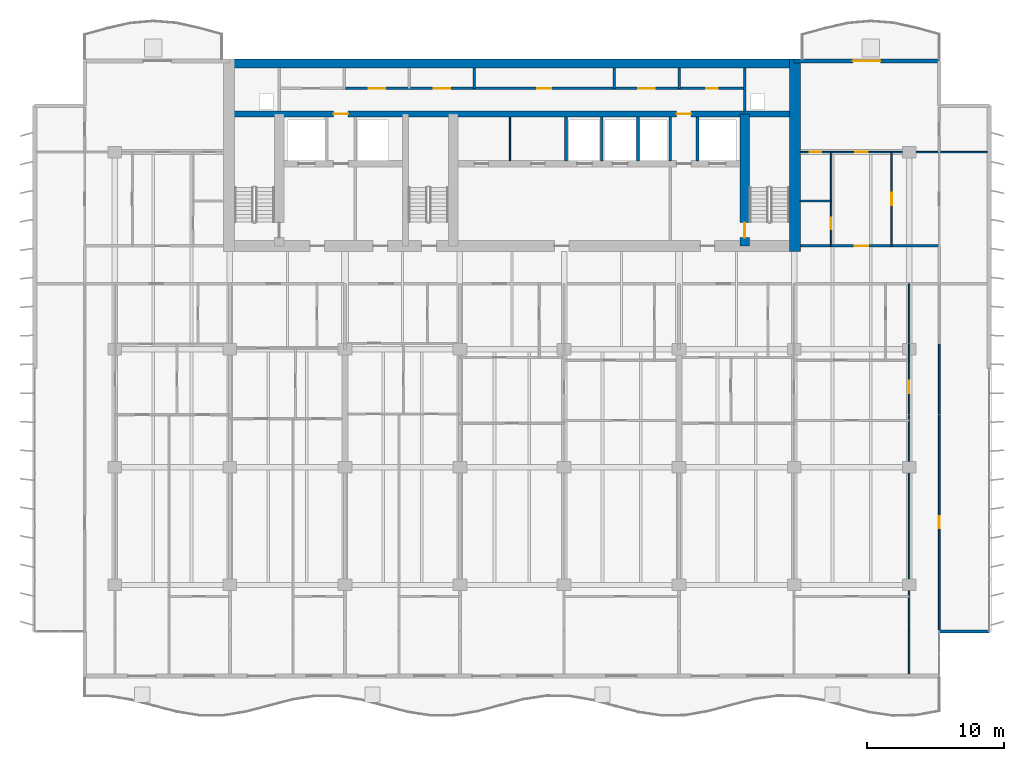
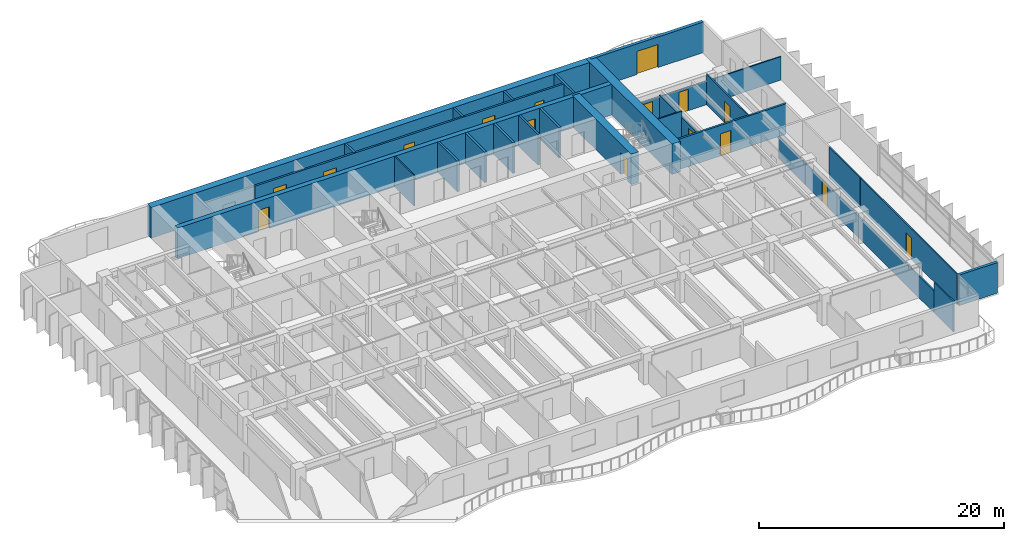
# One storey, part 11 of 16: 28 walls, 16 doors, 16 openings.
"""IFC4 building model written with IfcOpenShell, lengths in metres."""

from ifc_helpers import new_model, si_unit, direction, frame, frame_2d, origin, place, context, subcontext, project, spatial, rectangle, extrude, material, layer, layer_set, type_object, element, fill, save


model = new_model("IFC4")

# Units and contexts
model_context = context("Model", 3, precision=1e-05, world=origin(), true_north=direction((0.0, 1.0)))
body_context = subcontext(model_context, "Body", "Model", "MODEL_VIEW")
ifc_project = project(units=[si_unit("LENGTHUNIT", "METRE"), si_unit("AREAUNIT", "SQUARE_METRE"), si_unit("VOLUMEUNIT", "CUBIC_METRE"), si_unit("PLANEANGLEUNIT", "RADIAN"), si_unit("MASSUNIT", "GRAM", prefix="KILO")], contexts=[model_context])

# Site, building, storey
site_placement = place(None, origin())
site = spatial("IfcSite", under=ifc_project, at=site_placement, CompositionType="ELEMENT")
building_placement = place(site_placement, origin())
building = spatial("IfcBuilding", under=site, at=building_placement, Name="Caelmar Bay Residences", CompositionType="ELEMENT")
storey_placement = place(building_placement, frame((0.0, 0.0, 145.5)))
storey = spatial("IfcBuildingStorey", under=building, at=storey_placement, Name="L40", CompositionType="ELEMENT", Elevation=145.5)

# Wall, opening, door
ifc_material_1 = material(Name="Concrete f'c 55 MPa (8,000 psi)", Category="concrete")
ifc_layer_1 = layer(ifc_material_1, 0.699951171875)
ifc_layer_set_1 = layer_set([ifc_layer_1], Name="Concrete f'c 55 MPa (8,000 psi)")
wall_type_1 = type_object("IfcWallType", Name="SW-COR-700", PredefinedType="SHEAR", material=ifc_layer_set_1)
wall_1_placement = place(storey_placement, frame((55.89990234375, 36.949951171875, 0.0), z_axis=(0.0, 0.0, 1.0), x_axis=(0.0, 1.0, 0.0)))
wall_1 = element("IfcWall", 1, at=wall_1_placement, inside=storey, type_object=wall_type_1, Name="L40 Core Structural Web Wall ST2W", PredefinedType="SHEAR", context=body_context, shape_type="SweptSolid", body=[
    extrude(rectangle(XDim=9.625, YDim=0.699951171875, at=frame_2d((4.8125, 0.0))), origin(), (0.0, 0.0, 1.0), 3.050048828125),
])
opening_1_placement = place(wall_1_placement, frame((0.60009765625, 0.0, 0.0)))
opening_1 = element("IfcOpeningElement", 2, at=opening_1_placement, cuts=wall_1, Name="Opening D-L40-110", PredefinedType="OPENING", context=body_context, shape_type="SweptSolid", body=[
    extrude(rectangle(XDim=1.10009765625, YDim=2.14990234375, at=frame_2d((0.550048828125, 1.074951171875))), frame((0.0, 0.35986328125, 0.0), z_axis=(0.0, -1.0, 0.0), x_axis=(1.0, 0.0, 0.0)), (0.0, 0.0, 1.0), 0.719970703125),
])
ifc_material_2 = material(Name="Fire-rated steel and walnut architectural door assembly", Category="steel")
ifc_layer_2 = layer(ifc_material_2, 0.050048828125)
ifc_layer_set_2 = layer_set([ifc_layer_2], Name="Fire-rated steel and walnut architectural door assembly")
door_type_1 = type_object("IfcDoorType", Name="D-STAIR-1100", OperationType="NOTDEFINED", PredefinedType="DOOR", material=ifc_layer_set_2)
door_1_placement = place(opening_1_placement, origin())
door_1 = element("IfcDoor", 3, at=door_1_placement, inside=storey, type_object=door_type_1, Name="L40 Firefighting Lobby East Door", OperationType="SINGLE_SWING_RIGHT", OverallHeight=2.14990234375, OverallWidth=1.10009765625, PredefinedType="DOOR", context=body_context, shape_type="SweptSolid", body=[
    extrude(rectangle(XDim=1.10009765625, YDim=2.14990234375, at=frame_2d((0.550048828125, 1.074951171875))), frame((0.0, 0.02490234375, 0.0), z_axis=(0.0, -1.0, 0.0), x_axis=(1.0, 0.0, 0.0)), (0.0, 0.0, 1.0), 0.050048828125),
])
fill(opening_1, door_1)

# Walls
ifc_material_3 = material(Name="Concrete f'c 70 MPa (10,000 psi)", Category="concrete")
ifc_layer_3 = layer(ifc_material_3, 0.800048828125)
ifc_layer_set_3 = layer_set([ifc_layer_3], Name="Concrete f'c 70 MPa (10,000 psi)")
wall_type_2 = type_object("IfcWallType", Name="SW-COR-800", PredefinedType="SHEAR", material=ifc_layer_set_3)
wall_2_placement = place(storey_placement, frame((59.550048828125, 36.550048828125, 0.0), z_axis=(0.0, 0.0, 1.0), x_axis=(0.0, 1.0, 0.0)))
element("IfcWall", 4, at=wall_2_placement, inside=storey, type_object=wall_type_2, Name="L40 Rear Core East Shear Wall", PredefinedType="SHEAR", context=body_context, shape_type="SweptSolid", body=[
    extrude(rectangle(XDim=14.050048828125, YDim=0.800048828125, at=frame_2d((7.02490234375, 0.0))), origin(), (0.0, 0.0, 1.0), 3.050048828125),
])
ifc_layer_4 = layer(ifc_material_1, 0.64990234375)
ifc_layer_set_4 = layer_set([ifc_layer_4], Name="Concrete f'c 55 MPa (8,000 psi)")
wall_type_3 = type_object("IfcWallType", Name="SW-CORN-650", PredefinedType="SHEAR", material=ifc_layer_set_4)
wall_3_placement = place(storey_placement, frame((17.85009765625, 50.27490234375, 0.0), z_axis=(0.0, 0.0, 1.0), x_axis=(1.0, 0.0, 0.0)))
element("IfcWall", 5, at=wall_3_placement, inside=storey, type_object=wall_type_3, Name="L40 Rear Core North Shear Wall", PredefinedType="SHEAR", context=body_context, shape_type="SweptSolid", body=[
    extrude(rectangle(XDim=42.099853515625, YDim=0.64990234375, at=frame_2d((21.0498046875, 0.0))), origin(), (0.0, 0.0, 1.0), 3.050048828125),
])

# Wall, openings, doors
ifc_layer_5 = layer(ifc_material_3, 0.449951171875)
ifc_layer_set_5 = layer_set([ifc_layer_5], Name="Concrete f'c 70 MPa (10,000 psi)")
wall_type_4 = type_object("IfcWallType", Name="SW-WEB-450", PredefinedType="SHEAR", material=ifc_layer_set_5)
wall_4_placement = place(storey_placement, frame((18.25, 46.574951171875, 0.0), z_axis=(0.0, 0.0, 1.0), x_axis=(1.0, 0.0, 0.0)))
wall_4 = element("IfcWall", 6, at=wall_4_placement, inside=storey, type_object=wall_type_4, Name="L40 Core Structural Web Wall SRVS", PredefinedType="SHEAR", context=body_context, shape_type="SweptSolid", body=[
    extrude(rectangle(XDim=41.300048828125, YDim=0.449951171875, at=frame_2d((20.64990234375, 0.0))), origin(), (0.0, 0.0, 1.0), 3.050048828125),
])
opening_2_placement = place(wall_4_placement, frame((7.625, 0.0, 0.0)))
opening_2 = element("IfcOpeningElement", 7, at=opening_2_placement, cuts=wall_4, Name="Opening D-L40-116", PredefinedType="OPENING", context=body_context, shape_type="SweptSolid", body=[
    extrude(rectangle(XDim=1.050048828125, YDim=2.14990234375, at=frame_2d((0.52490234375, 1.074951171875))), frame((0.0, 0.23486328125, 0.0), z_axis=(0.0, -1.0, 0.0), x_axis=(1.0, 0.0, 0.0)), (0.0, 0.0, 1.0), 0.469970703125),
])
opening_3_placement = place(wall_4_placement, frame((32.675048828125, 0.0, 0.0)))
opening_3 = element("IfcOpeningElement", 8, at=opening_3_placement, cuts=wall_4, Name="Opening D-L40-117", PredefinedType="OPENING", context=body_context, shape_type="SweptSolid", body=[
    extrude(rectangle(XDim=1.050048828125, YDim=2.14990234375, at=frame_2d((0.52490234375, 1.074951171875))), frame((0.0, 0.23486328125, 0.0), z_axis=(0.0, -1.0, 0.0), x_axis=(1.0, 0.0, 0.0)), (0.0, 0.0, 1.0), 0.469970703125),
])
ifc_layer_6 = layer(ifc_material_2, 0.050048828125)
ifc_layer_set_6 = layer_set([ifc_layer_6], Name="Fire-rated steel and walnut architectural door assembly")
door_type_2 = type_object("IfcDoorType", Name="D-FSAE-1050", OperationType="NOTDEFINED", PredefinedType="DOOR", material=ifc_layer_set_6)
door_2_placement = place(opening_2_placement, origin())
door_2 = element("IfcDoor", 9, at=door_2_placement, inside=storey, type_object=door_type_2, Name="L40 Core Service Corridor Door", OperationType="SINGLE_SWING_RIGHT", OverallHeight=2.14990234375, OverallWidth=1.050048828125, PredefinedType="DOOR", context=body_context, shape_type="SweptSolid", body=[
    extrude(rectangle(XDim=1.050048828125, YDim=2.14990234375, at=frame_2d((0.52490234375, 1.074951171875))), frame((0.0, 0.02490234375, 0.0), z_axis=(0.0, -1.0, 0.0), x_axis=(1.0, 0.0, 0.0)), (0.0, 0.0, 1.0), 0.050048828125),
])
fill(opening_2, door_2)
door_3_placement = place(opening_3_placement, origin())
door_3 = element("IfcDoor", 10, at=door_3_placement, inside=storey, type_object=door_type_2, Name="L40 Core Service Corridor Door", OperationType="SINGLE_SWING_LEFT", OverallHeight=2.14990234375, OverallWidth=1.050048828125, PredefinedType="DOOR", context=body_context, shape_type="SweptSolid", body=[
    extrude(rectangle(XDim=1.050048828125, YDim=2.14990234375, at=frame_2d((0.52490234375, 1.074951171875))), frame((0.0, 0.02490234375, 0.0), z_axis=(0.0, -1.0, 0.0), x_axis=(1.0, 0.0, 0.0)), (0.0, 0.0, 1.0), 0.050048828125),
])
fill(opening_3, door_3)

# Walls
ifc_material_4 = material(Name="Double-stud acoustic fire-rated gypsum partition 180 mm")
ifc_layer_7 = layer(ifc_material_4, 0.179931640625)
ifc_layer_set_7 = layer_set([ifc_layer_7], Name="Double-stud acoustic fire-rated gypsum partition 180 mm")
wall_type_5 = type_object("IfcWallType", Name="W-COR-200", PredefinedType="PARTITIONING", material=ifc_layer_set_7)
for number, where, z_axis, x_axis, name in (
    (11, (36.14990234375, 48.449951171875, 0.0), (0.0, 0.0, 1.0), (0.0, 1.0, 0.0), "L40 Partition Wall V045"),
    (12, (46.35009765625, 48.449951171875, 0.0), (0.0, 0.0, 1.0), (0.0, 1.0, 0.0), "L40 Partition Wall V055"),
    (13, (51.10009765625, 48.449951171875, 0.0), (0.0, 0.0, 1.0), (0.0, 1.0, 0.0), "L40 Partition Wall V065"),
):
    element("IfcWall", number, at=place(storey_placement, frame(where, z_axis=z_axis, x_axis=x_axis)), inside=storey, type_object=wall_type_5, Name=name, PredefinedType="PARTITIONING", context=body_context, shape_type="SweptSolid", body=[
        extrude(rectangle(XDim=1.505126953125, YDim=0.179931640625, at=frame_2d((0.75244140625, 0.0))), origin(), (0.0, 0.0, 1.0), 3.050048828125),
    ])

# Wall, opening, door
wall_5_placement = place(storey_placement, frame((59.955078125, 36.949951171875, 0.0), z_axis=(0.0, 0.0, 1.0), x_axis=(1.0, 0.0, 0.0)))
wall_5 = element("IfcWall", 14, at=wall_5_placement, inside=storey, type_object=wall_type_5, Name="L40 Partition Wall H116", PredefinedType="PARTITIONING", context=body_context, shape_type="SweptSolid", body=[
    extrude(rectangle(XDim=10.14501953125, YDim=0.179931640625, at=frame_2d((5.072509765625, 0.0))), origin(), (0.0, 0.0, 1.0), 3.050048828125),
])
opening_4_placement = place(wall_5_placement, frame((3.95703125, 0.0, 0.0)))
opening_4 = element("IfcOpeningElement", 15, at=opening_4_placement, cuts=wall_5, Name="Opening D-L40-176", PredefinedType="OPENING", context=body_context, shape_type="SweptSolid", body=[
    extrude(rectangle(XDim=1.0, YDim=2.199951171875, at=frame_2d((0.5, 1.10009765625))), frame((0.0, 0.099853515625, 0.0), z_axis=(0.0, -1.0, 0.0), x_axis=(1.0, 0.0, 0.0)), (0.0, 0.0, 1.0), 0.199951171875),
])
ifc_layer_8 = layer(ifc_material_2, 0.050048828125)
ifc_layer_set_8 = layer_set([ifc_layer_8], Name="Fire-rated steel and walnut architectural door assembly")
door_type_3 = type_object("IfcDoorType", Name="D-UNIT-1000", OperationType="NOTDEFINED", PredefinedType="DOOR", material=ifc_layer_set_8)
door_4_placement = place(opening_4_placement, origin())
door_4 = element("IfcDoor", 16, at=door_4_placement, inside=storey, type_object=door_type_3, Name="L40 Residence EA Kitchen Door", OperationType="SINGLE_SWING_RIGHT", OverallHeight=2.199951171875, OverallWidth=1.0, PredefinedType="DOOR", context=body_context, shape_type="SweptSolid", body=[
    extrude(rectangle(XDim=1.0, YDim=2.199951171875, at=frame_2d((0.5, 1.10009765625))), frame((0.0, 0.02490234375, 0.0), z_axis=(0.0, -1.0, 0.0), x_axis=(1.0, 0.0, 0.0)), (0.0, 0.0, 1.0), 0.050048828125),
])
fill(opening_4, door_4)

# Wall, openings, doors
wall_6_placement = place(storey_placement, frame((26.699951171875, 48.449951171875, 0.0), z_axis=(0.0, 0.0, 1.0), x_axis=(1.0, 0.0, 0.0)))
wall_6 = element("IfcWall", 17, at=wall_6_placement, inside=storey, type_object=wall_type_5, Name="L40 Partition Wall H122", PredefinedType="PARTITIONING", context=body_context, shape_type="SweptSolid", body=[
    extrude(rectangle(XDim=29.199951171875, YDim=0.179931640625, at=frame_2d((14.60009765625, 0.0))), origin(), (0.0, 0.0, 1.0), 3.050048828125),
])
opening_5_placement = place(wall_6_placement, frame((1.75, 0.0, 0.0)))
opening_5 = element("IfcOpeningElement", 18, at=opening_5_placement, cuts=wall_6, Name="Opening D-L40-119", PredefinedType="OPENING", context=body_context, shape_type="SweptSolid", body=[
    extrude(rectangle(XDim=1.199951171875, YDim=2.199951171875, at=frame_2d((0.60009765625, 1.10009765625))), frame((0.0, 0.099853515625, 0.0), z_axis=(0.0, -1.0, 0.0), x_axis=(1.0, 0.0, 0.0)), (0.0, 0.0, 1.0), 0.199951171875),
])
opening_6_placement = place(wall_6_placement, frame((6.47509765625, 0.0, 0.0)))
opening_6 = element("IfcOpeningElement", 19, at=opening_6_placement, cuts=wall_6, Name="Opening D-L40-120", PredefinedType="OPENING", context=body_context, shape_type="SweptSolid", body=[
    extrude(rectangle(XDim=1.199951171875, YDim=2.199951171875, at=frame_2d((0.60009765625, 1.10009765625))), frame((0.0, 0.099853515625, 0.0), z_axis=(0.0, -1.0, 0.0), x_axis=(1.0, 0.0, 0.0)), (0.0, 0.0, 1.0), 0.199951171875),
])
opening_7_placement = place(wall_6_placement, frame((14.050048828125, 0.0, 0.0)))
opening_7 = element("IfcOpeningElement", 20, at=opening_7_placement, cuts=wall_6, Name="Opening D-L40-121", PredefinedType="OPENING", context=body_context, shape_type="SweptSolid", body=[
    extrude(rectangle(XDim=1.0, YDim=2.199951171875, at=frame_2d((0.5, 1.10009765625))), frame((0.0, 0.099853515625, 0.0), z_axis=(0.0, -1.0, 0.0), x_axis=(1.0, 0.0, 0.0)), (0.0, 0.0, 1.0), 0.199951171875),
])
opening_8_placement = place(wall_6_placement, frame((21.425048828125, 0.0, 0.0)))
opening_8 = element("IfcOpeningElement", 21, at=opening_8_placement, cuts=wall_6, Name="Opening D-L40-122", PredefinedType="OPENING", context=body_context, shape_type="SweptSolid", body=[
    extrude(rectangle(XDim=1.199951171875, YDim=2.199951171875, at=frame_2d((0.60009765625, 1.10009765625))), frame((0.0, 0.099853515625, 0.0), z_axis=(0.0, -1.0, 0.0), x_axis=(1.0, 0.0, 0.0)), (0.0, 0.0, 1.0), 0.199951171875),
])
opening_9_placement = place(wall_6_placement, frame((26.375, 0.0, 0.0)))
opening_9 = element("IfcOpeningElement", 22, at=opening_9_placement, cuts=wall_6, Name="Opening D-L40-123", PredefinedType="OPENING", context=body_context, shape_type="SweptSolid", body=[
    extrude(rectangle(XDim=0.85009765625, YDim=2.10009765625, at=frame_2d((0.425048828125, 1.050048828125))), frame((0.0, 0.099853515625, 0.0), z_axis=(0.0, -1.0, 0.0), x_axis=(1.0, 0.0, 0.0)), (0.0, 0.0, 1.0), 0.199951171875),
])
ifc_layer_9 = layer(ifc_material_2, 0.050048828125)
ifc_layer_set_9 = layer_set([ifc_layer_9], Name="Fire-rated steel and walnut architectural door assembly")
door_type_4 = type_object("IfcDoorType", Name="D-CORE-850", OperationType="NOTDEFINED", PredefinedType="DOOR", material=ifc_layer_set_9)
door_5_placement = place(opening_9_placement, origin())
door_5 = element("IfcDoor", 23, at=door_5_placement, inside=storey, type_object=door_type_4, Name="L40 Staff Restroom Door", OperationType="SINGLE_SWING_LEFT", OverallHeight=2.10009765625, OverallWidth=0.85009765625, PredefinedType="DOOR", context=body_context, shape_type="SweptSolid", body=[
    extrude(rectangle(XDim=0.85009765625, YDim=2.10009765625, at=frame_2d((0.425048828125, 1.050048828125))), frame((0.0, 0.02490234375, 0.0), z_axis=(0.0, -1.0, 0.0), x_axis=(1.0, 0.0, 0.0)), (0.0, 0.0, 1.0), 0.050048828125),
])
fill(opening_9, door_5)
ifc_layer_10 = layer(ifc_material_2, 0.050048828125)
ifc_layer_set_10 = layer_set([ifc_layer_10], Name="Fire-rated steel and walnut architectural door assembly")
door_type_5 = type_object("IfcDoorType", Name="D-PLANT-1200", OperationType="NOTDEFINED", PredefinedType="DOOR", material=ifc_layer_set_10)
door_6_placement = place(opening_5_placement, origin())
door_6 = element("IfcDoor", 24, at=door_6_placement, inside=storey, type_object=door_type_5, Name="L40 Water Meter Closet Door", OperationType="SINGLE_SWING_LEFT", OverallHeight=2.199951171875, OverallWidth=1.199951171875, PredefinedType="DOOR", context=body_context, shape_type="SweptSolid", body=[
    extrude(rectangle(XDim=1.199951171875, YDim=2.199951171875, at=frame_2d((0.60009765625, 1.10009765625))), frame((0.0, 0.02490234375, 0.0), z_axis=(0.0, -1.0, 0.0), x_axis=(1.0, 0.0, 0.0)), (0.0, 0.0, 1.0), 0.050048828125),
])
fill(opening_5, door_6)
door_7_placement = place(opening_6_placement, origin())
door_7 = element("IfcDoor", 25, at=door_7_placement, inside=storey, type_object=door_type_5, Name="L40 Low-Voltage Data Closet Door", OperationType="SINGLE_SWING_RIGHT", OverallHeight=2.199951171875, OverallWidth=1.199951171875, PredefinedType="DOOR", context=body_context, shape_type="SweptSolid", body=[
    extrude(rectangle(XDim=1.199951171875, YDim=2.199951171875, at=frame_2d((0.60009765625, 1.10009765625))), frame((0.0, 0.02490234375, 0.0), z_axis=(0.0, -1.0, 0.0), x_axis=(1.0, 0.0, 0.0)), (0.0, 0.0, 1.0), 0.050048828125),
])
fill(opening_6, door_7)
door_8_placement = place(opening_8_placement, origin())
door_8 = element("IfcDoor", 26, at=door_8_placement, inside=storey, type_object=door_type_5, Name="L40 Valet Trunk Closet Door", OperationType="SINGLE_SWING_RIGHT", OverallHeight=2.199951171875, OverallWidth=1.199951171875, PredefinedType="DOOR", context=body_context, shape_type="SweptSolid", body=[
    extrude(rectangle(XDim=1.199951171875, YDim=2.199951171875, at=frame_2d((0.60009765625, 1.10009765625))), frame((0.0, 0.02490234375, 0.0), z_axis=(0.0, -1.0, 0.0), x_axis=(1.0, 0.0, 0.0)), (0.0, 0.0, 1.0), 0.050048828125),
])
fill(opening_8, door_8)
door_9_placement = place(opening_7_placement, origin())
door_9 = element("IfcDoor", 27, at=door_9_placement, inside=storey, type_object=door_type_3, Name="L40 Mail Sorting Office Door", OperationType="SINGLE_SWING_LEFT", OverallHeight=2.199951171875, OverallWidth=1.0, PredefinedType="DOOR", context=body_context, shape_type="SweptSolid", body=[
    extrude(rectangle(XDim=1.0, YDim=2.199951171875, at=frame_2d((0.5, 1.10009765625))), frame((0.0, 0.02490234375, 0.0), z_axis=(0.0, -1.0, 0.0), x_axis=(1.0, 0.0, 0.0)), (0.0, 0.0, 1.0), 0.050048828125),
])
fill(opening_7, door_9)

# Wall
ifc_material_5 = material(Name="Precast concrete f'c 40 MPa (6,000 psi)", Category="concrete")
ifc_layer_11 = layer(ifc_material_5, 0.25)
ifc_layer_set_11 = layer_set([ifc_layer_11], Name="Precast concrete f'c 40 MPa (6,000 psi)")
wall_type_6 = type_object("IfcWallType", Name="W-EXT-250", PredefinedType="ELEMENTEDWALL", material=ifc_layer_set_11)
wall_7_placement = place(storey_placement, frame((70.10009765625, 8.800048828125, 0.0), z_axis=(0.0, 0.0, 1.0), x_axis=(1.0, 0.0, 0.0)))
element("IfcWall", 28, at=wall_7_placement, inside=storey, type_object=wall_type_6, Name="L40 SE Notch Return Wall", PredefinedType="ELEMENTEDWALL", context=body_context, shape_type="SweptSolid", body=[
    extrude(rectangle(XDim=3.64990234375, YDim=0.25, at=frame_2d((1.824951171875, 0.0))), origin(), (0.0, 0.0, 1.0), 3.050048828125),
])

# Wall, opening, door
ifc_layer_12 = layer(ifc_material_5, 0.300048828125)
ifc_layer_set_12 = layer_set([ifc_layer_12], Name="Precast concrete f'c 40 MPa (6,000 psi)")
wall_type_7 = type_object("IfcWallType", Name="W-EXT-300", PredefinedType="STANDARD", material=ifc_layer_set_12)
wall_8_placement = place(storey_placement, frame((59.5, 50.449951171875, 0.0), z_axis=(0.0, 0.0, 1.0), x_axis=(1.0, 0.0, 0.0)))
wall_8 = element("IfcWall", 29, at=wall_8_placement, inside=storey, type_object=wall_type_7, Name="L40 North-East Wing Exterior Wall", PredefinedType="STANDARD", context=body_context, shape_type="SweptSolid", body=[
    extrude(rectangle(XDim=10.60009765625, YDim=0.300048828125, at=frame_2d((5.300048828125, 0.0))), origin(), (0.0, 0.0, 1.0), 3.050048828125),
])
opening_10_placement = place(wall_8_placement, frame((4.300048828125, 0.0, 0.0)))
opening_10 = element("IfcOpeningElement", 30, at=opening_10_placement, cuts=wall_8, Name="Opening L40-BDNE", PredefinedType="OPENING", context=body_context, shape_type="SweptSolid", body=[
    extrude(rectangle(XDim=2.0, YDim=2.300048828125, at=frame_2d((1.0, 1.14990234375))), frame((0.0, 0.159912109375, 0.0), z_axis=(0.0, -1.0, 0.0), x_axis=(1.0, 0.0, 0.0)), (0.0, 0.0, 1.0), 0.320068359375),
])
ifc_material_6 = material(Name="Anodised bronze thermally broken sliding glass door", Category="glass")
ifc_layer_13 = layer(ifc_material_6, 0.050048828125)
ifc_layer_set_13 = layer_set([ifc_layer_13], Name="Anodised bronze thermally broken sliding glass door")
door_type_6 = type_object("IfcDoorType", Name="D-BAL-2000", OperationType="DOUBLE_DOOR_SLIDING", PredefinedType="DOOR", material=ifc_layer_set_13)
door_10_placement = place(opening_10_placement, origin())
door_10 = element("IfcDoor", 31, at=door_10_placement, inside=storey, type_object=door_type_6, Name="L40 North-East Balcony Door", OperationType="DOUBLE_DOOR_SLIDING", OverallHeight=2.300048828125, OverallWidth=2.0, PredefinedType="DOOR", context=body_context, shape_type="SweptSolid", body=[
    extrude(rectangle(XDim=2.0, YDim=2.300048828125, at=frame_2d((1.0, 1.14990234375))), frame((0.0, 0.02490234375, 0.0), z_axis=(0.0, -1.0, 0.0), x_axis=(1.0, 0.0, 0.0)), (0.0, 0.0, 1.0), 0.050048828125),
])
fill(opening_10, door_10)

# Walls
ifc_material_7 = material(Name="Fire-rated masonry and gypsum shaftliner assembly 200 mm", Category="masonry")
ifc_layer_14 = layer(ifc_material_7, 0.199951171875)
ifc_layer_set_14 = layer_set([ifc_layer_14], Name="Fire-rated masonry and gypsum shaftliner assembly 200 mm")
wall_type_8 = type_object("IfcWallType", Name="W-FSAE-200", PredefinedType="PARTITIONING", material=ifc_layer_set_14)
for number, where, z_axis, x_axis, name in (
    (32, (42.85009765625, 43.169921875, 0.0), (0.0, 0.0, 1.0), (0.0, 1.0, 0.0), "L40 Partition Wall V053"),
    (33, (45.449951171875, 43.169921875, 0.0), (0.0, 0.0, 1.0), (0.0, 1.0, 0.0), "L40 Partition Wall V054"),
    (34, (48.10009765625, 43.169921875, 0.0), (0.0, 0.0, 1.0), (0.0, 1.0, 0.0), "L40 Partition Wall V056"),
    (35, (50.449951171875, 43.169921875, 0.0), (0.0, 0.0, 1.0), (0.0, 1.0, 0.0), "L40 Partition Wall V060"),
    (36, (52.449951171875, 43.169921875, 0.0), (0.0, 0.0, 1.0), (0.0, 1.0, 0.0), "L40 Partition Wall V066"),
):
    element("IfcWall", number, at=place(storey_placement, frame(where, z_axis=z_axis, x_axis=x_axis)), inside=storey, type_object=wall_type_8, Name=name, PredefinedType="PARTITIONING", context=body_context, shape_type="SweptSolid", body=[
        extrude(rectangle(XDim=3.18505859375, YDim=0.199951171875, at=frame_2d((1.592529296875, 0.0))), origin(), (0.0, 0.0, 1.0), 3.050048828125),
    ])
wall_9_placement = place(storey_placement, frame((55.89990234375, 46.794921875, 0.0), z_axis=(0.0, 0.0, 1.0), x_axis=(0.0, 1.0, 0.0)))
element("IfcWall", 37, at=wall_9_placement, inside=storey, type_object=wall_type_8, Name="L40 Partition Wall V069", PredefinedType="PARTITIONING", context=body_context, shape_type="SweptSolid", body=[
    extrude(rectangle(XDim=3.16015625, YDim=0.199951171875, at=frame_2d((1.580078125, 0.0))), origin(), (0.0, 0.0, 1.0), 3.050048828125),
])
ifc_material_8 = material(Name="Anodised bronze framed acoustic sliding study partition 100 mm")
ifc_layer_15 = layer(ifc_material_8, 0.10009765625)
ifc_layer_set_15 = layer_set([ifc_layer_15], Name="Anodised bronze framed acoustic sliding study partition 100 mm")
wall_type_9 = type_object("IfcWallType", Name="W-MOV-100", PredefinedType="MOVABLE", material=ifc_layer_set_15)
wall_10_placement = place(storey_placement, frame((38.75, 43.169921875, 0.0), z_axis=(0.0, 0.0, 1.0), x_axis=(0.0, 1.0, 0.0)))
element("IfcWall", 38, at=wall_10_placement, inside=storey, type_object=wall_type_9, Name="L40 Partition Wall V046", PredefinedType="MOVABLE", context=body_context, shape_type="SweptSolid", body=[
    extrude(rectangle(XDim=3.18505859375, YDim=0.10009765625, at=frame_2d((1.592529296875, 0.0))), origin(), (0.0, 0.0, 1.0), 3.050048828125),
])

# Wall, opening, door
ifc_material_9 = material(Name="Acoustic metal-stud gypsum partition 120 mm")
ifc_layer_16 = layer(ifc_material_9, 0.1201171875)
ifc_layer_set_16 = layer_set([ifc_layer_16], Name="Acoustic metal-stud gypsum partition 120 mm")
wall_type_10 = type_object("IfcWallType", Name="W-PRT-120", PredefinedType="PARTITIONING", material=ifc_layer_set_16)
wall_11_placement = place(storey_placement, frame((62.199951171875, 36.949951171875, 0.0), z_axis=(0.0, 0.0, 1.0), x_axis=(0.0, 1.0, 0.0)))
wall_11 = element("IfcWall", 39, at=wall_11_placement, inside=storey, type_object=wall_type_10, Name="L40 Partition Wall V076", PredefinedType="PARTITIONING", context=body_context, shape_type="SweptSolid", body=[
    extrude(rectangle(XDim=6.85009765625, YDim=0.1201171875, at=frame_2d((3.425048828125, 0.0))), origin(), (0.0, 0.0, 1.0), 2.4990234375),
])
opening_11_placement = place(wall_11_placement, frame((1.218994140625, 0.0, 0.0)))
opening_11 = element("IfcOpeningElement", 40, at=opening_11_placement, cuts=wall_11, Name="Opening D-L40-178", PredefinedType="OPENING", context=body_context, shape_type="SweptSolid", body=[
    extrude(rectangle(XDim=0.85009765625, YDim=2.10009765625, at=frame_2d((0.425048828125, 1.050048828125))), frame((0.0, 0.070068359375, 0.0), z_axis=(0.0, -1.0, 0.0), x_axis=(1.0, 0.0, 0.0)), (0.0, 0.0, 1.0), 0.14013671875),
])
ifc_material_10 = material(Name="Solid walnut timber interior door leaf and frame", Category="wood")
ifc_layer_17 = layer(ifc_material_10, 0.050048828125)
ifc_layer_set_17 = layer_set([ifc_layer_17], Name="Solid walnut timber interior door leaf and frame")
door_type_7 = type_object("IfcDoorType", Name="D-BATH-850", OperationType="NOTDEFINED", PredefinedType="DOOR", material=ifc_layer_set_17)
door_11_placement = place(opening_11_placement, origin())
door_11 = element("IfcDoor", 41, at=door_11_placement, inside=storey, type_object=door_type_7, Name="L40 Residence EA Walk-In Closet Door", OperationType="SINGLE_SWING_RIGHT", OverallHeight=2.10009765625, OverallWidth=0.85009765625, PredefinedType="DOOR", context=body_context, shape_type="SweptSolid", body=[
    extrude(rectangle(XDim=0.85009765625, YDim=2.10009765625, at=frame_2d((0.425048828125, 1.050048828125))), frame((0.0, 0.02490234375, 0.0), z_axis=(0.0, -1.0, 0.0), x_axis=(1.0, 0.0, 0.0)), (0.0, 0.0, 1.0), 0.050048828125),
])
fill(opening_11, door_11)

wall_12_placement = place(storey_placement, frame((66.6240234375, 36.949951171875, 0.0), z_axis=(0.0, 0.0, 1.0), x_axis=(0.0, 1.0, 0.0)))
wall_12 = element("IfcWall", 42, at=wall_12_placement, inside=storey, type_object=wall_type_10, Name="L40 Partition Wall V079", PredefinedType="PARTITIONING", context=body_context, shape_type="SweptSolid", body=[
    extrude(rectangle(XDim=6.85009765625, YDim=0.1201171875, at=frame_2d((3.425048828125, 0.0))), origin(), (0.0, 0.0, 1.0), 3.050048828125),
])
opening_12_placement = place(wall_12_placement, frame((2.97509765625, 0.0, 0.0)))
opening_12 = element("IfcOpeningElement", 43, at=opening_12_placement, cuts=wall_12, Name="Opening D-L40-175", PredefinedType="OPENING", context=body_context, shape_type="SweptSolid", body=[
    extrude(rectangle(XDim=0.89990234375, YDim=2.14990234375, at=frame_2d((0.449951171875, 1.074951171875))), frame((0.0, 0.070068359375, 0.0), z_axis=(0.0, -1.0, 0.0), x_axis=(1.0, 0.0, 0.0)), (0.0, 0.0, 1.0), 0.14013671875),
])
ifc_layer_18 = layer(ifc_material_10, 0.050048828125)
ifc_layer_set_18 = layer_set([ifc_layer_18], Name="Solid walnut timber interior door leaf and frame")
door_type_8 = type_object("IfcDoorType", Name="D-ROOM-900", OperationType="NOTDEFINED", PredefinedType="DOOR", material=ifc_layer_set_18)
door_12_placement = place(opening_12_placement, origin())
door_12 = element("IfcDoor", 44, at=door_12_placement, inside=storey, type_object=door_type_8, Name="L40 Residence EA Dining Room Door", OperationType="SINGLE_SWING_LEFT", OverallHeight=2.14990234375, OverallWidth=0.89990234375, PredefinedType="DOOR", context=body_context, shape_type="SweptSolid", body=[
    extrude(rectangle(XDim=0.89990234375, YDim=2.14990234375, at=frame_2d((0.449951171875, 1.074951171875))), frame((0.0, 0.02490234375, 0.0), z_axis=(0.0, -1.0, 0.0), x_axis=(1.0, 0.0, 0.0)), (0.0, 0.0, 1.0), 0.050048828125),
])
fill(opening_12, door_12)

# Walls
wall_13_placement = place(storey_placement, frame((67.89990234375, 5.695068359375, 0.0), z_axis=(0.0, 0.0, 1.0), x_axis=(0.0, 1.0, 0.0)))
element("IfcWall", 45, at=wall_13_placement, inside=storey, type_object=wall_type_10, Name="L40 Partition Wall V080", PredefinedType="PARTITIONING", context=body_context, shape_type="SweptSolid", body=[
    extrude(rectangle(XDim=3.10498046875, YDim=0.1201171875, at=frame_2d((1.552490234375, 0.0))), origin(), (0.0, 0.0, 1.0), 3.050048828125),
])
wall_14_placement = place(storey_placement, frame((67.89990234375, 8.840087890625, 0.0), z_axis=(0.0, 0.0, 1.0), x_axis=(0.0, 1.0, 0.0)))
element("IfcWall", 46, at=wall_14_placement, inside=storey, type_object=wall_type_10, Name="L40 Partition Wall V081", PredefinedType="PARTITIONING", context=body_context, shape_type="SweptSolid", body=[
    extrude(rectangle(XDim=15.789794921875, YDim=0.1201171875, at=frame_2d((7.89501953125, 0.0))), origin(), (0.0, 0.0, 1.0), 2.174072265625),
])

# Wall, opening, door
wall_15_placement = place(storey_placement, frame((67.89990234375, 24.68994140625, 0.0), z_axis=(0.0, 0.0, 1.0), x_axis=(0.0, 1.0, 0.0)))
wall_15 = element("IfcWall", 47, at=wall_15_placement, inside=storey, type_object=wall_type_10, Name="L40 Partition Wall V082", PredefinedType="PARTITIONING", context=body_context, shape_type="SweptSolid", body=[
    extrude(rectangle(XDim=5.090087890625, YDim=0.1201171875, at=frame_2d((2.544921875, 0.0))), origin(), (0.0, 0.0, 1.0), 2.174072265625),
])
opening_13_placement = place(wall_15_placement, frame((1.5048828125, 0.0, 0.0)))
opening_13 = element("IfcOpeningElement", 48, at=opening_13_placement, cuts=wall_15, Name="Opening D-L40-165", PredefinedType="OPENING", context=body_context, shape_type="SweptSolid", body=[
    extrude(rectangle(XDim=0.89990234375, YDim=2.1240234375, at=frame_2d((0.449951171875, 1.06201171875))), frame((0.0, 0.070068359375, 0.0), z_axis=(0.0, -1.0, 0.0), x_axis=(1.0, 0.0, 0.0)), (0.0, 0.0, 1.0), 0.14013671875),
])
door_13_placement = place(opening_13_placement, origin())
door_13 = element("IfcDoor", 49, at=door_13_placement, inside=storey, type_object=door_type_8, Name="L40 Residence 05 East Apartment Hall Door", OperationType="SINGLE_SWING_LEFT", OverallHeight=2.1240234375, OverallWidth=0.89990234375, PredefinedType="DOOR", context=body_context, shape_type="SweptSolid", body=[
    extrude(rectangle(XDim=0.89990234375, YDim=2.1240234375, at=frame_2d((0.449951171875, 1.06201171875))), frame((0.0, 0.02490234375, 0.0), z_axis=(0.0, -1.0, 0.0), x_axis=(1.0, 0.0, 0.0)), (0.0, 0.0, 1.0), 0.050048828125),
])
fill(opening_13, door_13)

# Wall
wall_16_placement = place(storey_placement, frame((67.89990234375, 29.840087890625, 0.0), z_axis=(0.0, 0.0, 1.0), x_axis=(0.0, 1.0, 0.0)))
element("IfcWall", 50, at=wall_16_placement, inside=storey, type_object=wall_type_10, Name="L40 Partition Wall V083", PredefinedType="PARTITIONING", context=body_context, shape_type="SweptSolid", body=[
    extrude(rectangle(XDim=4.35986328125, YDim=0.1201171875, at=frame_2d((2.179931640625, 0.0))), origin(), (0.0, 0.0, 1.0), 2.174072265625),
])

# Wall, opening, door
wall_17_placement = place(storey_placement, frame((70.10009765625, 8.919921875, 0.0), z_axis=(0.0, 0.0, 1.0), x_axis=(0.0, 1.0, 0.0)))
wall_17 = element("IfcWall", 51, at=wall_17_placement, inside=storey, type_object=wall_type_10, Name="L40 Partition Wall V084", PredefinedType="PARTITIONING", context=body_context, shape_type="SweptSolid", body=[
    extrude(rectangle(XDim=15.7099609375, YDim=0.1201171875, at=frame_2d((7.85498046875, 0.0))), origin(), (0.0, 0.0, 1.0), 3.050048828125),
])
opening_14_placement = place(wall_17_placement, frame((7.405029296875, 0.0, 0.0)))
opening_14 = element("IfcOpeningElement", 52, at=opening_14_placement, cuts=wall_17, Name="Opening D-L40-167", PredefinedType="OPENING", context=body_context, shape_type="SweptSolid", body=[
    extrude(rectangle(XDim=0.89990234375, YDim=2.14990234375, at=frame_2d((0.449951171875, 1.074951171875))), frame((0.0, 0.070068359375, 0.0), z_axis=(0.0, -1.0, 0.0), x_axis=(1.0, 0.0, 0.0)), (0.0, 0.0, 1.0), 0.14013671875),
])
door_14_placement = place(opening_14_placement, origin())
door_14 = element("IfcDoor", 53, at=door_14_placement, inside=storey, type_object=door_type_8, Name="L40 Residence 05 Penthouse East Salon Door", OperationType="SINGLE_SWING_LEFT", OverallHeight=2.14990234375, OverallWidth=0.89990234375, PredefinedType="DOOR", context=body_context, shape_type="SweptSolid", body=[
    extrude(rectangle(XDim=0.89990234375, YDim=2.14990234375, at=frame_2d((0.449951171875, 1.074951171875))), frame((0.0, 0.02490234375, 0.0), z_axis=(0.0, -1.0, 0.0), x_axis=(1.0, 0.0, 0.0)), (0.0, 0.0, 1.0), 0.050048828125),
])
fill(opening_14, door_14)

# Walls
wall_18_placement = place(storey_placement, frame((70.10009765625, 24.68994140625, 0.0), z_axis=(0.0, 0.0, 1.0), x_axis=(0.0, 1.0, 0.0)))
element("IfcWall", 54, at=wall_18_placement, inside=storey, type_object=wall_type_10, Name="L40 Partition Wall V085", PredefinedType="PARTITIONING", context=body_context, shape_type="SweptSolid", body=[
    extrude(rectangle(XDim=5.090087890625, YDim=0.1201171875, at=frame_2d((2.544921875, 0.0))), origin(), (0.0, 0.0, 1.0), 3.050048828125),
])
wall_19_placement = place(storey_placement, frame((59.945068359375, 40.238037109375, 0.0), z_axis=(0.0, 0.0, 1.0), x_axis=(1.0, 0.0, 0.0)))
element("IfcWall", 55, at=wall_19_placement, inside=storey, type_object=wall_type_10, Name="L40 Partition Wall H118", PredefinedType="PARTITIONING", context=body_context, shape_type="SweptSolid", body=[
    extrude(rectangle(XDim=2.2548828125, YDim=0.1201171875, at=frame_2d((1.12744140625, 0.0))), origin(), (0.0, 0.0, 1.0), 3.050048828125),
])

# Wall, openings, doors
wall_20_placement = place(storey_placement, frame((59.945068359375, 43.800048828125, 0.0), z_axis=(0.0, 0.0, 1.0), x_axis=(1.0, 0.0, 0.0)))
wall_20 = element("IfcWall", 56, at=wall_20_placement, inside=storey, type_object=wall_type_10, Name="L40 Partition Wall H120", PredefinedType="PARTITIONING", context=body_context, shape_type="SweptSolid", body=[
    extrude(rectangle(XDim=13.659912109375, YDim=0.1201171875, at=frame_2d((6.830078125, 0.0))), origin(), (0.0, 0.0, 1.0), 2.339111328125),
])
opening_15_placement = place(wall_20_placement, frame((4.01708984375, 0.0, 0.0)))
opening_15 = element("IfcOpeningElement", 57, at=opening_15_placement, cuts=wall_20, Name="Opening D-L40-177", PredefinedType="OPENING", context=body_context, shape_type="SweptSolid", body=[
    extrude(rectangle(XDim=0.89990234375, YDim=2.14990234375, at=frame_2d((0.449951171875, 1.074951171875))), frame((0.0, 0.070068359375, 0.0), z_axis=(0.0, -1.0, 0.0), x_axis=(1.0, 0.0, 0.0)), (0.0, 0.0, 1.0), 0.14013671875),
])
opening_16_placement = place(wall_20_placement, frame((0.702392578125, 0.0, 0.0)))
opening_16 = element("IfcOpeningElement", 58, at=opening_16_placement, cuts=wall_20, Name="Opening D-L40-179", PredefinedType="OPENING", context=body_context, shape_type="SweptSolid", body=[
    extrude(rectangle(XDim=0.85009765625, YDim=2.10009765625, at=frame_2d((0.425048828125, 1.050048828125))), frame((0.0, 0.070068359375, 0.0), z_axis=(0.0, -1.0, 0.0), x_axis=(1.0, 0.0, 0.0)), (0.0, 0.0, 1.0), 0.14013671875),
])
door_15_placement = place(opening_16_placement, origin())
door_15 = element("IfcDoor", 59, at=door_15_placement, inside=storey, type_object=door_type_7, Name="L40 Residence EA Bathroom Door", OperationType="SINGLE_SWING_LEFT", OverallHeight=2.10009765625, OverallWidth=0.85009765625, PredefinedType="DOOR", context=body_context, shape_type="SweptSolid", body=[
    extrude(rectangle(XDim=0.85009765625, YDim=2.10009765625, at=frame_2d((0.425048828125, 1.050048828125))), frame((0.0, 0.02490234375, 0.0), z_axis=(0.0, -1.0, 0.0), x_axis=(1.0, 0.0, 0.0)), (0.0, 0.0, 1.0), 0.050048828125),
])
fill(opening_16, door_15)
door_16_placement = place(opening_15_placement, origin())
door_16 = element("IfcDoor", 60, at=door_16_placement, inside=storey, type_object=door_type_8, Name="L40 Residence EA Studio Living and Sleeping Room Door", OperationType="SINGLE_SWING_LEFT", OverallHeight=2.14990234375, OverallWidth=0.89990234375, PredefinedType="DOOR", context=body_context, shape_type="SweptSolid", body=[
    extrude(rectangle(XDim=0.89990234375, YDim=2.14990234375, at=frame_2d((0.449951171875, 1.074951171875))), frame((0.0, 0.02490234375, 0.0), z_axis=(0.0, -1.0, 0.0), x_axis=(1.0, 0.0, 0.0)), (0.0, 0.0, 1.0), 0.050048828125),
])
fill(opening_15, door_16)

save(model, "model.ifc")
